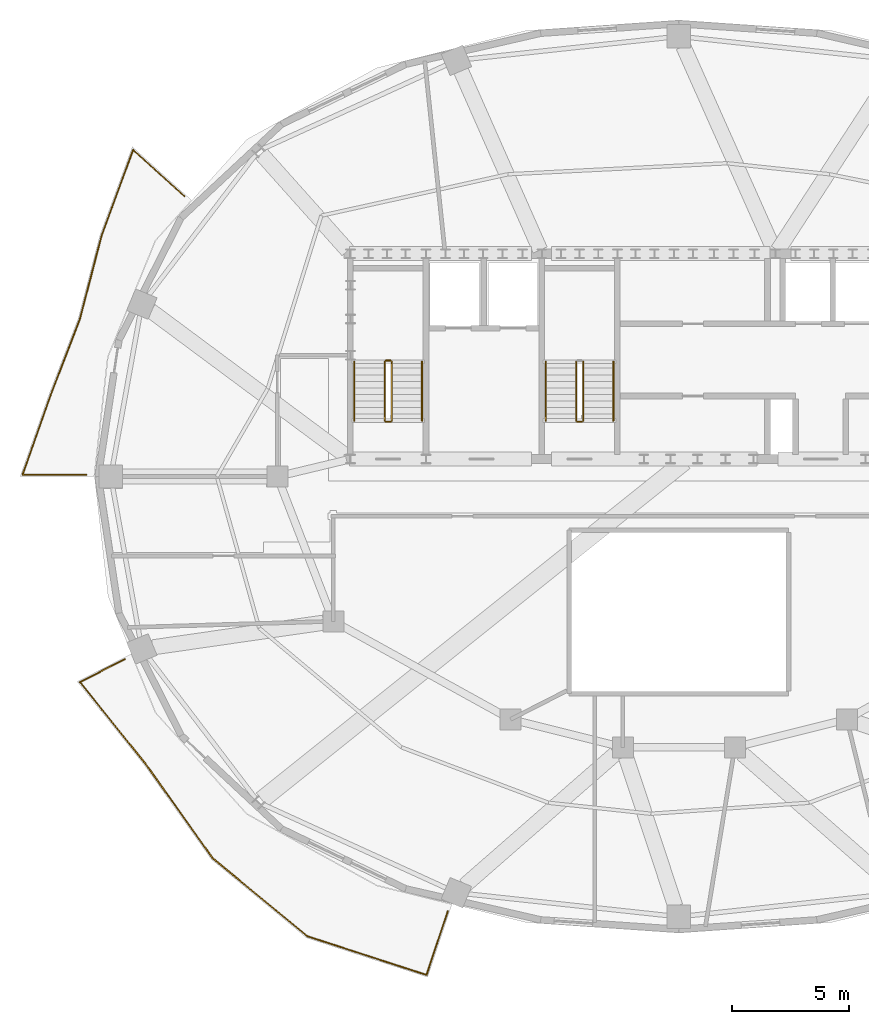
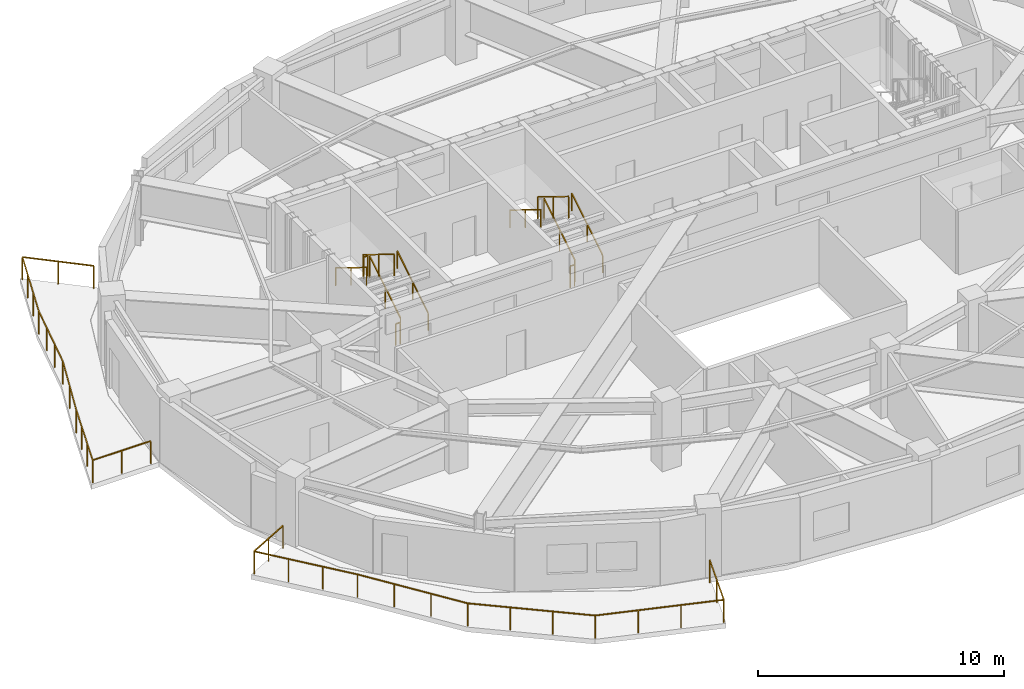
# One storey, part 7 of 10: 13 railings.
"""IFC4 building model written with IfcOpenShell, lengths in metres."""

from ifc_helpers import new_model, si_unit, direction, frame, origin, origin_2d, place, context, subcontext, project, spatial, rectangle, extrude, material, type_object, element, save


model = new_model("IFC4")

# Units and contexts
model_context = context("Model", 3, precision=1e-05, world=origin(), true_north=direction((0.0, 1.0)))
body_context = subcontext(model_context, "Body", "Model", "MODEL_VIEW")
ifc_project = project(units=[si_unit("LENGTHUNIT", "METRE"), si_unit("AREAUNIT", "SQUARE_METRE"), si_unit("VOLUMEUNIT", "CUBIC_METRE"), si_unit("PLANEANGLEUNIT", "RADIAN"), si_unit("MASSUNIT", "GRAM", prefix="KILO")], contexts=[model_context])

# Site, building, storey
site_placement = place(None, origin())
site = spatial("IfcSite", under=ifc_project, at=site_placement, CompositionType="ELEMENT")
building_placement = place(site_placement, origin())
building = spatial("IfcBuilding", under=site, at=building_placement, Name="Haldorwick Loom Tower", CompositionType="ELEMENT")
storey_placement = place(building_placement, frame((0.0, 0.0, 269.550048828125)))
storey = spatial("IfcBuildingStorey", under=building, at=storey_placement, Name="L73", CompositionType="ELEMENT", Elevation=269.550048828125)

# Railings
ifc_material_1 = material(Name="Galvanized Steel CSA G40.21 350W", Category="steel")
railing_type_1 = type_object("IfcRailingType", Name="ARC-RLG-BAL115", PredefinedType="BALUSTRADE", material=ifc_material_1)
railing_1_placement = place(storey_placement, frame((26.098876953125, 7.369384765625, 0.0)))
element("IfcRailing", 1, at=railing_1_placement, inside=storey, type_object=railing_type_1, Name="L73 Outdoor Terrace Guardrail SLB-L73-BAL_SW-1", PredefinedType="BALUSTRADE", context=body_context, shape_type="SweptSolid", body=[
    extrude(rectangle(XDim=0.048095703125, YDim=0.048095703125, at=origin_2d()), frame((0.0, 0.0, 1.1259765625), z_axis=(-0.316840445478, -0.948478851693, 0.0), x_axis=(0.948478851693, -0.316840445478, 0.0)), (0.0, 0.0, 1.0), 2.86865234375),
    extrude(rectangle(XDim=0.048095703125, YDim=0.048095703125, at=origin_2d()), frame((-0.908935546875, -2.720947265625, 1.1259765625), z_axis=(-0.95121198091, 0.308538113325, 0.0), x_axis=(-0.308538113325, -0.95121198091, 0.0)), (0.0, 0.0, 1.0), 5.360107421875),
    extrude(rectangle(XDim=0.048095703125, YDim=0.048095703125, at=origin_2d()), frame((-6.007568359375, -1.067138671875, 1.1259765625), z_axis=(-0.771891379057, 0.635754432889, 0.0), x_axis=(-0.635754432889, -0.771891379057, 0.0)), (0.0, 0.0, 1.0), 5.259765625),
    extrude(rectangle(XDim=0.048095703125, YDim=0.048095703125, at=origin_2d()), frame((-10.067626953125, 2.27685546875, 1.1259765625), z_axis=(-0.579388740846, 0.815051340089, 0.0), x_axis=(-0.815051340089, -0.579388740846, 0.0)), (0.0, 0.0, 1.0), 4.9365234375),
    extrude(rectangle(XDim=0.048095703125, YDim=0.048095703125, at=origin_2d()), frame((-12.927734375, 6.30029296875, 1.1259765625), z_axis=(-0.591363663628, 0.806404995856, 0.0), x_axis=(-0.806404995856, -0.591363663628, 0.0)), (0.0, 0.0, 1.0), 0.004638671875),
    extrude(rectangle(XDim=0.048095703125, YDim=0.048095703125, at=origin_2d()), frame((-12.930419921875, 6.303955078125, 1.1259765625), z_axis=(-0.62589540011, 0.779907012484, 0.0), x_axis=(-0.779907012484, -0.62589540011, 0.0)), (0.0, 0.0, 1.0), 4.511474609375),
    extrude(rectangle(XDim=0.048095703125, YDim=0.048095703125, at=origin_2d()), frame((-15.754150390625, 9.822509765625, 1.1259765625), z_axis=(0.890008764947, 0.455943415697, 0.0), x_axis=(-0.455943415697, 0.890008764947, 0.0)), (0.0, 0.0, 1.0), 2.164794921875),
    extrude(rectangle(XDim=0.0419921875, YDim=0.0419921875, at=origin_2d()), origin(), (0.0, 0.0, 1.0), 1.101806640625),
    extrude(rectangle(XDim=0.0419921875, YDim=0.0419921875, at=origin_2d()), frame((-0.45458984375, -1.3603515625, 0.0)), (0.0, 0.0, 1.0), 1.101806640625),
    extrude(rectangle(XDim=0.0419921875, YDim=0.0419921875, at=origin_2d()), frame((-0.908935546875, -2.720947265625, 0.0)), (0.0, 0.0, 1.0), 1.101806640625),
    extrude(rectangle(XDim=0.0419921875, YDim=0.0419921875, at=origin_2d()), frame((-2.6083984375, -2.169677734375, 0.0)), (0.0, 0.0, 1.0), 1.101806640625),
    extrude(rectangle(XDim=0.0419921875, YDim=0.0419921875, at=origin_2d()), frame((-4.30810546875, -1.618408203125, 0.0)), (0.0, 0.0, 1.0), 1.101806640625),
    extrude(rectangle(XDim=0.0419921875, YDim=0.0419921875, at=origin_2d()), frame((-6.007568359375, -1.067138671875, 0.0)), (0.0, 0.0, 1.0), 1.101806640625),
    extrude(rectangle(XDim=0.0419921875, YDim=0.0419921875, at=origin_2d()), frame((-7.36083984375, 0.047607421875, 0.0)), (0.0, 0.0, 1.0), 1.101806640625),
    extrude(rectangle(XDim=0.0419921875, YDim=0.0419921875, at=origin_2d()), frame((-8.71435546875, 1.162109375, 0.0)), (0.0, 0.0, 1.0), 1.101806640625),
    extrude(rectangle(XDim=0.0419921875, YDim=0.0419921875, at=origin_2d()), frame((-10.067626953125, 2.27685546875, 0.0)), (0.0, 0.0, 1.0), 1.101806640625),
    extrude(rectangle(XDim=0.0419921875, YDim=0.0419921875, at=origin_2d()), frame((-11.02099609375, 3.617919921875, 0.0)), (0.0, 0.0, 1.0), 1.101806640625),
    extrude(rectangle(XDim=0.0419921875, YDim=0.0419921875, at=origin_2d()), frame((-11.974365234375, 4.959228515625, 0.0)), (0.0, 0.0, 1.0), 1.101806640625),
    extrude(rectangle(XDim=0.0419921875, YDim=0.0419921875, at=origin_2d()), frame((-12.927734375, 6.30029296875, 0.0)), (0.0, 0.0, 1.0), 1.101806640625),
    extrude(rectangle(XDim=0.0419921875, YDim=0.0419921875, at=origin_2d()), frame((-13.87158203125, 7.476806640625, 0.0)), (0.0, 0.0, 1.0), 1.101806640625),
    extrude(rectangle(XDim=0.0419921875, YDim=0.0419921875, at=origin_2d()), frame((-14.81298828125, 8.649658203125, 0.0)), (0.0, 0.0, 1.0), 1.101806640625),
    extrude(rectangle(XDim=0.0419921875, YDim=0.0419921875, at=origin_2d()), frame((-15.754150390625, 9.822509765625, 0.0)), (0.0, 0.0, 1.0), 1.101806640625),
    extrude(rectangle(XDim=0.0419921875, YDim=0.0419921875, at=origin_2d()), frame((-14.790771484375, 10.31591796875, 0.0)), (0.0, 0.0, 1.0), 1.101806640625),
    extrude(rectangle(XDim=0.0419921875, YDim=0.0419921875, at=origin_2d()), frame((-13.827392578125, 10.8095703125, 0.0)), (0.0, 0.0, 1.0), 1.101806640625),
])
railing_2_placement = place(storey_placement, frame((10.6201171875, 26.080078125, 0.0)))
element("IfcRailing", 2, at=railing_2_placement, inside=storey, type_object=railing_type_1, Name="L73 Outdoor Terrace Guardrail SLB-L73-BAL_WNW-1", PredefinedType="BALUSTRADE", context=body_context, shape_type="SweptSolid", body=[
    extrude(rectangle(XDim=0.048095703125, YDim=0.048095703125, at=origin_2d()), frame((0.0, 0.0, 1.1259765625), z_axis=(-1.0, 0.0, 0.0), x_axis=(0.0, -1.0, 0.0)), (0.0, 0.0, 1.0), 2.732421875),
    extrude(rectangle(XDim=0.048095703125, YDim=0.048095703125, at=origin_2d()), frame((-2.732421875, 0.0, 1.1259765625), z_axis=(0.332062355413, 0.943257436821, 0.0), x_axis=(-0.943257436821, 0.332062355413, 0.0)), (0.0, 0.0, 1.0), 3.60693359375),
    extrude(rectangle(XDim=0.048095703125, YDim=0.048095703125, at=origin_2d()), frame((-1.53466796875, 3.40234375, 1.1259765625), z_axis=(0.358470319643, 0.933541123858, 0.0), x_axis=(-0.933541123858, 0.358470319643, 0.0)), (0.0, 0.0, 1.0), 3.50537109375),
    extrude(rectangle(XDim=0.048095703125, YDim=0.048095703125, at=origin_2d()), frame((-0.278076171875, 6.6748046875, 1.1259765625), z_axis=(0.29982659674, 0.953993716901, 0.0), x_axis=(-0.953993716901, 0.29982659674, 0.0)), (0.0, 0.0, 1.0), 0.009033203125),
    extrude(rectangle(XDim=0.048095703125, YDim=0.048095703125, at=origin_2d()), frame((-0.275390625, 6.683349609375, 1.1259765625), z_axis=(0.251875373137, 0.967759679056, 0.0), x_axis=(-0.967759679056, 0.251875373137, 0.0)), (0.0, 0.0, 1.0), 3.673583984375),
    extrude(rectangle(XDim=0.048095703125, YDim=0.048095703125, at=origin_2d()), frame((0.64990234375, 10.238525390625, 1.1259765625), z_axis=(0.344532890116, 0.938774247425, 0.0), x_axis=(-0.938774247425, 0.344532890116, 0.0)), (0.0, 0.0, 1.0), 3.918701171875),
    extrude(rectangle(XDim=0.048095703125, YDim=0.048095703125, at=origin_2d()), frame((2.0, 13.917236328125, 1.1259765625), z_axis=(0.74176749731, -0.670657125463, 0.0), x_axis=(0.670657125463, 0.74176749731, 0.0)), (0.0, 0.0, 1.0), 2.9697265625),
    extrude(rectangle(XDim=0.0419921875, YDim=0.0419921875, at=origin_2d()), origin(), (0.0, 0.0, 1.0), 1.101806640625),
    extrude(rectangle(XDim=0.0419921875, YDim=0.0419921875, at=origin_2d()), frame((-1.3662109375, 0.0, 0.0)), (0.0, 0.0, 1.0), 1.101806640625),
    extrude(rectangle(XDim=0.0419921875, YDim=0.0419921875, at=origin_2d()), frame((-2.732421875, 0.0, 0.0)), (0.0, 0.0, 1.0), 1.101806640625),
    extrude(rectangle(XDim=0.0419921875, YDim=0.0419921875, at=origin_2d()), frame((-2.333251953125, 1.134033203125, 0.0)), (0.0, 0.0, 1.0), 1.101806640625),
    extrude(rectangle(XDim=0.0419921875, YDim=0.0419921875, at=origin_2d()), frame((-1.933837890625, 2.268310546875, 0.0)), (0.0, 0.0, 1.0), 1.101806640625),
    extrude(rectangle(XDim=0.0419921875, YDim=0.0419921875, at=origin_2d()), frame((-1.53466796875, 3.40234375, 0.0)), (0.0, 0.0, 1.0), 1.101806640625),
    extrude(rectangle(XDim=0.0419921875, YDim=0.0419921875, at=origin_2d()), frame((-0.90625, 5.03857421875, 0.0)), (0.0, 0.0, 1.0), 1.101806640625),
    extrude(rectangle(XDim=0.0419921875, YDim=0.0419921875, at=origin_2d()), frame((-0.278076171875, 6.6748046875, 0.0)), (0.0, 0.0, 1.0), 1.101806640625),
    extrude(rectangle(XDim=0.0419921875, YDim=0.0419921875, at=origin_2d()), frame((0.032958984375, 7.868408203125, 0.0)), (0.0, 0.0, 1.0), 1.101806640625),
    extrude(rectangle(XDim=0.0419921875, YDim=0.0419921875, at=origin_2d()), frame((0.341552734375, 9.053466796875, 0.0)), (0.0, 0.0, 1.0), 1.101806640625),
    extrude(rectangle(XDim=0.0419921875, YDim=0.0419921875, at=origin_2d()), frame((0.64990234375, 10.238525390625, 0.0)), (0.0, 0.0, 1.0), 1.101806640625),
    extrude(rectangle(XDim=0.0419921875, YDim=0.0419921875, at=origin_2d()), frame((1.099853515625, 11.46484375, 0.0)), (0.0, 0.0, 1.0), 1.101806640625),
    extrude(rectangle(XDim=0.0419921875, YDim=0.0419921875, at=origin_2d()), frame((1.550048828125, 12.69091796875, 0.0)), (0.0, 0.0, 1.0), 1.101806640625),
    extrude(rectangle(XDim=0.0419921875, YDim=0.0419921875, at=origin_2d()), frame((2.0, 13.917236328125, 0.0)), (0.0, 0.0, 1.0), 1.101806640625),
    extrude(rectangle(XDim=0.0419921875, YDim=0.0419921875, at=origin_2d()), frame((3.1015625, 12.92138671875, 0.0)), (0.0, 0.0, 1.0), 1.101806640625),
    extrude(rectangle(XDim=0.0419921875, YDim=0.0419921875, at=origin_2d()), frame((4.202880859375, 11.925537109375, 0.0)), (0.0, 0.0, 1.0), 1.101806640625),
])
ifc_material_2 = material(Name="Steel CSA G40.21 350W", Category="steel")
railing_type_2 = type_object("IfcRailingType", Name="ARC-RLG-GUARD112", PredefinedType="GUARDRAIL", material=ifc_material_2)
railing_3_placement = place(storey_placement, frame((23.699951171875, 28.39990234375, 0.17236328125)))
element("IfcRailing", 3, at=railing_3_placement, inside=storey, type_object=railing_type_2, Name="L73 ST-01 stair guard 1", PredefinedType="GUARDRAIL", context=body_context, shape_type="SweptSolid", body=[
    extrude(rectangle(XDim=0.048095703125, YDim=0.048095703125, at=origin_2d()), frame((0.0, 0.0, 1.076171875), z_axis=(0.0, 0.851400495292, 0.524516154772), x_axis=(-1.0, 0.0, 0.0)), (0.0, 0.0, 1.0), 2.9599609375),
    extrude(rectangle(XDim=0.0419921875, YDim=0.0419921875, at=origin_2d()), origin(), (0.0, 0.0, 1.0), 1.052001953125),
    extrude(rectangle(XDim=0.0419921875, YDim=0.0419921875, at=origin_2d()), frame((0.0, 1.260009765625, 0.7763671875)), (0.0, 0.0, 1.0), 1.052001953125),
    extrude(rectangle(XDim=0.0419921875, YDim=0.0419921875, at=origin_2d()), frame((0.0, 2.52001953125, 1.552490234375)), (0.0, 0.0, 1.0), 1.052001953125),
])
railing_4_placement = place(storey_placement, frame((23.64990234375, 30.969970703125, 1.724853515625)))
element("IfcRailing", 4, at=railing_4_placement, inside=storey, type_object=railing_type_2, Name="L73 ST-01 stair guard 2", PredefinedType="GUARDRAIL", context=body_context, shape_type="SweptSolid", body=[
    extrude(rectangle(XDim=0.048095703125, YDim=0.048095703125, at=origin_2d()), frame((0.0, 0.0, 1.076171875), z_axis=(-1.0, 0.0, 0.0), x_axis=(0.0, -1.0, 0.0)), (0.0, 0.0, 1.0), 0.199951171875),
    extrude(rectangle(XDim=0.0419921875, YDim=0.0419921875, at=origin_2d()), origin(), (0.0, 0.0, 1.0), 1.052001953125),
    extrude(rectangle(XDim=0.0419921875, YDim=0.0419921875, at=origin_2d()), frame((-0.199951171875, 0.0, 0.0)), (0.0, 0.0, 1.0), 1.052001953125),
])
railing_5_placement = place(storey_placement, frame((23.39990234375, 30.919921875, 1.8974609375)))
element("IfcRailing", 5, at=railing_5_placement, inside=storey, type_object=railing_type_2, Name="L73 ST-01 stair guard 3", PredefinedType="GUARDRAIL", context=body_context, shape_type="SweptSolid", body=[
    extrude(rectangle(XDim=0.048095703125, YDim=0.048095703125, at=origin_2d()), frame((0.0, 0.0, 1.076171875), z_axis=(0.0, -0.851400495292, 0.524516154772), x_axis=(1.0, 0.0, 0.0)), (0.0, 0.0, 1.0), 2.9599609375),
    extrude(rectangle(XDim=0.0419921875, YDim=0.0419921875, at=origin_2d()), origin(), (0.0, 0.0, 1.0), 1.052001953125),
    extrude(rectangle(XDim=0.0419921875, YDim=0.0419921875, at=origin_2d()), frame((0.0, -1.260009765625, 0.7763671875)), (0.0, 0.0, 1.0), 1.052001953125),
    extrude(rectangle(XDim=0.0419921875, YDim=0.0419921875, at=origin_2d()), frame((0.0, -2.52001953125, 1.552490234375)), (0.0, 0.0, 1.0), 1.052001953125),
])
railing_6_placement = place(storey_placement, frame((23.64990234375, 28.35009765625, 0.0)))
element("IfcRailing", 6, at=railing_6_placement, inside=storey, type_object=railing_type_2, Name="L73 ST-01 stair guard 4", PredefinedType="GUARDRAIL", context=body_context, shape_type="SweptSolid", body=[
    extrude(rectangle(XDim=0.048095703125, YDim=0.048095703125, at=origin_2d()), frame((0.0, 0.0, 1.076171875), z_axis=(-1.0, 0.0, 0.0), x_axis=(0.0, -1.0, 0.0)), (0.0, 0.0, 1.0), 0.199951171875),
    extrude(rectangle(XDim=0.0419921875, YDim=0.0419921875, at=origin_2d()), origin(), (0.0, 0.0, 1.0), 1.052001953125),
    extrude(rectangle(XDim=0.0419921875, YDim=0.0419921875, at=origin_2d()), frame((-0.199951171875, 0.0, 0.0)), (0.0, 0.0, 1.0), 1.052001953125),
])
railing_7_placement = place(storey_placement, frame((31.89990234375, 28.39990234375, 0.17236328125)))
element("IfcRailing", 7, at=railing_7_placement, inside=storey, type_object=railing_type_2, Name="L73 ST-03 stair guard 1", PredefinedType="GUARDRAIL", context=body_context, shape_type="SweptSolid", body=[
    extrude(rectangle(XDim=0.048095703125, YDim=0.048095703125, at=origin_2d()), frame((0.0, 0.0, 1.076171875), z_axis=(0.0, 0.851400495292, 0.524516154772), x_axis=(-1.0, 0.0, 0.0)), (0.0, 0.0, 1.0), 2.9599609375),
    extrude(rectangle(XDim=0.0419921875, YDim=0.0419921875, at=origin_2d()), origin(), (0.0, 0.0, 1.0), 1.052001953125),
    extrude(rectangle(XDim=0.0419921875, YDim=0.0419921875, at=origin_2d()), frame((0.0, 1.260009765625, 0.7763671875)), (0.0, 0.0, 1.0), 1.052001953125),
    extrude(rectangle(XDim=0.0419921875, YDim=0.0419921875, at=origin_2d()), frame((0.0, 2.52001953125, 1.552490234375)), (0.0, 0.0, 1.0), 1.052001953125),
])
railing_8_placement = place(storey_placement, frame((31.60009765625, 30.919921875, 1.8974609375)))
element("IfcRailing", 8, at=railing_8_placement, inside=storey, type_object=railing_type_2, Name="L73 ST-03 stair guard 3", PredefinedType="GUARDRAIL", context=body_context, shape_type="SweptSolid", body=[
    extrude(rectangle(XDim=0.048095703125, YDim=0.048095703125, at=origin_2d()), frame((0.0, 0.0, 1.076171875), z_axis=(0.0, -0.851400495292, 0.524516154772), x_axis=(1.0, 0.0, 0.0)), (0.0, 0.0, 1.0), 2.9599609375),
    extrude(rectangle(XDim=0.0419921875, YDim=0.0419921875, at=origin_2d()), origin(), (0.0, 0.0, 1.0), 1.052001953125),
    extrude(rectangle(XDim=0.0419921875, YDim=0.0419921875, at=origin_2d()), frame((0.0, -1.260009765625, 0.7763671875)), (0.0, 0.0, 1.0), 1.052001953125),
    extrude(rectangle(XDim=0.0419921875, YDim=0.0419921875, at=origin_2d()), frame((0.0, -2.52001953125, 1.552490234375)), (0.0, 0.0, 1.0), 1.052001953125),
])
railing_9_placement = place(storey_placement, frame((31.85009765625, 28.35009765625, 0.0)))
element("IfcRailing", 9, at=railing_9_placement, inside=storey, type_object=railing_type_2, Name="L73 ST-03 stair guard 4", PredefinedType="GUARDRAIL", context=body_context, shape_type="SweptSolid", body=[
    extrude(rectangle(XDim=0.048095703125, YDim=0.048095703125, at=origin_2d()), frame((0.0, 0.0, 1.076171875), z_axis=(-1.0, 0.0, 0.0), x_axis=(0.0, -1.0, 0.0)), (0.0, 0.0, 1.0), 0.2001953125),
    extrude(rectangle(XDim=0.0419921875, YDim=0.0419921875, at=origin_2d()), origin(), (0.0, 0.0, 1.0), 1.052001953125),
    extrude(rectangle(XDim=0.0419921875, YDim=0.0419921875, at=origin_2d()), frame((-0.2001953125, 0.0, 0.0)), (0.0, 0.0, 1.0), 1.052001953125),
])
railing_type_3 = type_object("IfcRailingType", Name="ARC-RLG-HAND092", PredefinedType="HANDRAIL", material=ifc_material_2)
railing_10_placement = place(storey_placement, frame((25.0, 28.39990234375, 0.17236328125)))
element("IfcRailing", 10, at=railing_10_placement, inside=storey, type_object=railing_type_3, Name="L73 ST-01 stair handrail 1", PredefinedType="HANDRAIL", context=body_context, shape_type="SweptSolid", body=[
    extrude(rectangle(XDim=0.048095703125, YDim=0.048095703125, at=origin_2d()), frame((0.0, 0.0, 0.8759765625), z_axis=(0.0, 0.851400495292, 0.524516154772), x_axis=(-1.0, 0.0, 0.0)), (0.0, 0.0, 1.0), 2.9599609375),
    extrude(rectangle(XDim=0.0419921875, YDim=0.0419921875, at=origin_2d()), origin(), (0.0, 0.0, 1.0), 0.851806640625),
    extrude(rectangle(XDim=0.0419921875, YDim=0.0419921875, at=origin_2d()), frame((0.0, 1.260009765625, 0.7763671875)), (0.0, 0.0, 1.0), 0.851806640625),
    extrude(rectangle(XDim=0.0419921875, YDim=0.0419921875, at=origin_2d()), frame((0.0, 2.52001953125, 1.552490234375)), (0.0, 0.0, 1.0), 0.851806640625),
])
railing_11_placement = place(storey_placement, frame((22.10009765625, 30.919921875, 1.8974609375)))
element("IfcRailing", 11, at=railing_11_placement, inside=storey, type_object=railing_type_3, Name="L73 ST-01 stair handrail 2", PredefinedType="HANDRAIL", context=body_context, shape_type="SweptSolid", body=[
    extrude(rectangle(XDim=0.048095703125, YDim=0.048095703125, at=origin_2d()), frame((0.0, 0.0, 0.8759765625), z_axis=(0.0, -0.851400495292, 0.524516154772), x_axis=(1.0, 0.0, 0.0)), (0.0, 0.0, 1.0), 2.9599609375),
    extrude(rectangle(XDim=0.0419921875, YDim=0.0419921875, at=origin_2d()), origin(), (0.0, 0.0, 1.0), 0.851806640625),
    extrude(rectangle(XDim=0.0419921875, YDim=0.0419921875, at=origin_2d()), frame((0.0, -1.260009765625, 0.7763671875)), (0.0, 0.0, 1.0), 0.851806640625),
    extrude(rectangle(XDim=0.0419921875, YDim=0.0419921875, at=origin_2d()), frame((0.0, -2.52001953125, 1.552490234375)), (0.0, 0.0, 1.0), 0.851806640625),
])
railing_12_placement = place(storey_placement, frame((33.199951171875, 28.39990234375, 0.17236328125)))
element("IfcRailing", 12, at=railing_12_placement, inside=storey, type_object=railing_type_3, Name="L73 ST-03 stair handrail 1", PredefinedType="HANDRAIL", context=body_context, shape_type="SweptSolid", body=[
    extrude(rectangle(XDim=0.048095703125, YDim=0.048095703125, at=origin_2d()), frame((0.0, 0.0, 0.8759765625), z_axis=(0.0, 0.851400495292, 0.524516154772), x_axis=(-1.0, 0.0, 0.0)), (0.0, 0.0, 1.0), 2.9599609375),
    extrude(rectangle(XDim=0.0419921875, YDim=0.0419921875, at=origin_2d()), origin(), (0.0, 0.0, 1.0), 0.851806640625),
    extrude(rectangle(XDim=0.0419921875, YDim=0.0419921875, at=origin_2d()), frame((0.0, 1.260009765625, 0.7763671875)), (0.0, 0.0, 1.0), 0.851806640625),
    extrude(rectangle(XDim=0.0419921875, YDim=0.0419921875, at=origin_2d()), frame((0.0, 2.52001953125, 1.552490234375)), (0.0, 0.0, 1.0), 0.851806640625),
])
railing_13_placement = place(storey_placement, frame((30.300048828125, 30.919921875, 1.8974609375)))
element("IfcRailing", 13, at=railing_13_placement, inside=storey, type_object=railing_type_3, Name="L73 ST-03 stair handrail 2", PredefinedType="HANDRAIL", context=body_context, shape_type="SweptSolid", body=[
    extrude(rectangle(XDim=0.048095703125, YDim=0.048095703125, at=origin_2d()), frame((0.0, 0.0, 0.8759765625), z_axis=(0.0, -0.851400495292, 0.524516154772), x_axis=(1.0, 0.0, 0.0)), (0.0, 0.0, 1.0), 2.9599609375),
    extrude(rectangle(XDim=0.0419921875, YDim=0.0419921875, at=origin_2d()), origin(), (0.0, 0.0, 1.0), 0.851806640625),
    extrude(rectangle(XDim=0.0419921875, YDim=0.0419921875, at=origin_2d()), frame((0.0, -1.260009765625, 0.7763671875)), (0.0, 0.0, 1.0), 0.851806640625),
    extrude(rectangle(XDim=0.0419921875, YDim=0.0419921875, at=origin_2d()), frame((0.0, -2.52001953125, 1.552490234375)), (0.0, 0.0, 1.0), 0.851806640625),
])

save(model, "model.ifc")
